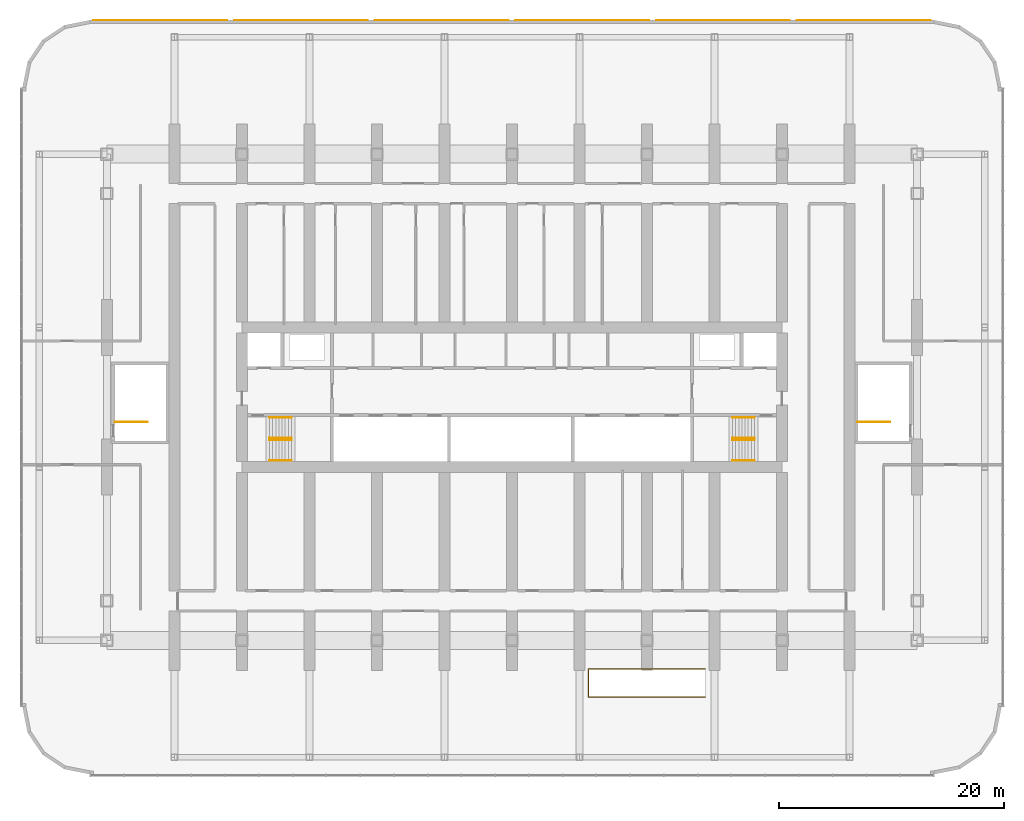
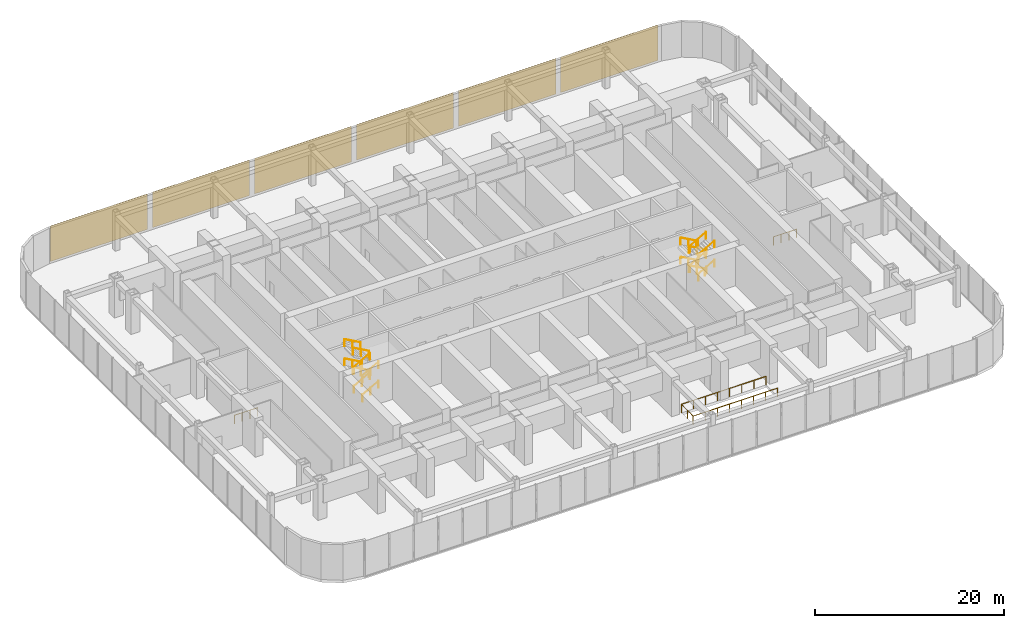
# One storey, part 26 of 26: 19 railings, 6 coverings.
"""IFC4 building model written with IfcOpenShell, lengths in metres."""

from ifc_helpers import new_model, si_unit, direction, frame, origin, origin_2d, place, context, subcontext, project, spatial, rectangle, circle, extrude, material, layer, layer_set, type_object, element, save


model = new_model("IFC4")

# Units and contexts
model_context = context("Model", 3, precision=1e-05, world=origin(), true_north=direction((0.0, 1.0)))
body_context = subcontext(model_context, "Body", "Model", "MODEL_VIEW")
ifc_project = project(units=[si_unit("LENGTHUNIT", "METRE"), si_unit("AREAUNIT", "SQUARE_METRE"), si_unit("VOLUMEUNIT", "CUBIC_METRE"), si_unit("PLANEANGLEUNIT", "RADIAN"), si_unit("MASSUNIT", "GRAM", prefix="KILO")], contexts=[model_context])

# Site, building, storey
site_placement = place(None, origin())
site = spatial("IfcSite", under=ifc_project, at=site_placement, CompositionType="ELEMENT")
building_placement = place(site_placement, origin())
building = spatial("IfcBuilding", under=site, at=building_placement, Name="Orbita Commons", CompositionType="ELEMENT")
storey_placement = place(building_placement, frame((0.0, 0.0, 11.0)))
storey = spatial("IfcBuildingStorey", under=building, at=storey_placement, Name="L02", CompositionType="ELEMENT", Elevation=11.0)

# Coverings
ifc_material_1 = material(Name="Glass mosaic tesserae on precast backing", Category="concrete")
ifc_layer = layer(ifc_material_1, 0.02001953125)
ifc_layer_set = layer_set([ifc_layer], Name="Glass mosaic tesserae on precast backing")
covering_type = type_object("IfcCoveringType", Name="Mosaic cladding panel 20", PredefinedType="CLADDING", material=ifc_layer_set)
for number, where, z_axis, x_axis, name in (
    (1, (73.25, 65.510009765625, 0.0), (0.0, 0.0, 1.0), (1.0, 0.0, 0.0), "Mosaic mural panel L02 1"),
    (2, (60.75, 65.510009765625, 0.0), (0.0, 0.0, 1.0), (1.0, 0.0, 0.0), "Mosaic mural panel L02 2"),
    (3, (48.25, 65.510009765625, 0.0), (0.0, 0.0, 1.0), (1.0, 0.0, 0.0), "Mosaic mural panel L02 3"),
    (4, (35.75, 65.510009765625, 0.0), (0.0, 0.0, 1.0), (1.0, 0.0, 0.0), "Mosaic mural panel L02 4"),
    (5, (23.25, 65.510009765625, 0.0), (0.0, 0.0, 1.0), (1.0, 0.0, 0.0), "Mosaic mural panel L02 5"),
    (6, (10.75, 65.510009765625, 0.0), (0.0, 0.0, 1.0), (1.0, 0.0, 0.0), "Mosaic mural panel L02 6"),
):
    element("IfcCovering", number, at=place(storey_placement, frame(where, z_axis=z_axis, x_axis=x_axis)), inside=storey, type_object=covering_type, Name=name, PredefinedType="CLADDING", context=body_context, shape_type="SweptSolid", body=[
        extrude(rectangle(XDim=11.89990234375, YDim=0.02001953125, at=origin_2d()), origin(), (0.0, 0.0, 1.0), 4.60009765625),
    ])

# Railings
ifc_material_2 = material(Name="Steel tube, painted", Category="steel")
railing_type_1 = type_object("IfcRailingType", Name="Stair handrail steel tube 900", PredefinedType="HANDRAIL", material=ifc_material_2)
for number, where, name in (
    (7, (20.449951171875, 28.18994140625, 0.15625), "Stair S1 handrail L02 flight 1"),
    (8, (20.449951171875, 26.360107421875, 0.15625), "Stair S1 handrail L02 flight 1"),
):
    element("IfcRailing", number, at=place(storey_placement, frame(where)), inside=storey, type_object=railing_type_1, Name=name, PredefinedType="HANDRAIL", context=body_context, shape_type="SweptSolid", body=[
        extrude(circle(Radius=0.02099609375, at=origin_2d()), frame((0.0, 0.0, 0.87890625), z_axis=(0.873232148454, 0.0, 0.487304437602), x_axis=(0.0, 1.0, 0.0)), (0.0, 0.0, 1.0), 2.244384765625),
        extrude(circle(Radius=0.02001953125, at=origin_2d()), origin(), (0.0, 0.0, 1.0), 0.85791015625),
        extrude(circle(Radius=0.02001953125, at=origin_2d()), frame((0.97998046875, 0.0, 0.546875)), (0.0, 0.0, 1.0), 0.85791015625),
        extrude(circle(Radius=0.02001953125, at=origin_2d()), frame((1.9599609375, 0.0, 1.09375)), (0.0, 0.0, 1.0), 0.85791015625),
    ])
for number, where, name in (
    (9, (22.409912109375, 28.360107421875, 1.40625), "Stair S1 handrail L02 flight 2"),
    (10, (22.409912109375, 30.18994140625, 1.40625), "Stair S1 handrail L02 flight 2"),
):
    element("IfcRailing", number, at=place(storey_placement, frame(where)), inside=storey, type_object=railing_type_1, Name=name, PredefinedType="HANDRAIL", context=body_context, shape_type="SweptSolid", body=[
        extrude(circle(Radius=0.02099609375, at=origin_2d()), frame((0.0, 0.0, 0.87890625), z_axis=(-0.873232148454, 0.0, 0.487304437602), x_axis=(0.0, -1.0, 0.0)), (0.0, 0.0, 1.0), 2.244384765625),
        extrude(circle(Radius=0.02001953125, at=origin_2d()), origin(), (0.0, 0.0, 1.0), 0.85791015625),
        extrude(circle(Radius=0.02001953125, at=origin_2d()), frame((-0.97998046875, 0.0, 0.546875)), (0.0, 0.0, 1.0), 0.85791015625),
        extrude(circle(Radius=0.02001953125, at=origin_2d()), frame((-1.9599609375, 0.0, 1.09375)), (0.0, 0.0, 1.0), 0.85791015625),
    ])
for number, where, name in (
    (11, (20.449951171875, 28.18994140625, 2.65625), "Stair S1 handrail L02 flight 3"),
    (12, (20.449951171875, 26.360107421875, 2.65625), "Stair S1 handrail L02 flight 3"),
):
    element("IfcRailing", number, at=place(storey_placement, frame(where)), inside=storey, type_object=railing_type_1, Name=name, PredefinedType="HANDRAIL", context=body_context, shape_type="SweptSolid", body=[
        extrude(circle(Radius=0.02099609375, at=origin_2d()), frame((0.0, 0.0, 0.87890625), z_axis=(0.873232148454, 0.0, 0.487304437602), x_axis=(0.0, 1.0, 0.0)), (0.0, 0.0, 1.0), 2.244384765625),
        extrude(circle(Radius=0.02001953125, at=origin_2d()), origin(), (0.0, 0.0, 1.0), 0.85791015625),
        extrude(circle(Radius=0.02001953125, at=origin_2d()), frame((0.97998046875, 0.0, 0.546875)), (0.0, 0.0, 1.0), 0.85791015625),
        extrude(circle(Radius=0.02001953125, at=origin_2d()), frame((1.9599609375, 0.0, 1.09375)), (0.0, 0.0, 1.0), 0.85791015625),
    ])
for number, where, name in (
    (13, (22.409912109375, 28.360107421875, 3.90625), "Stair S1 handrail L02 flight 4"),
    (14, (22.409912109375, 30.18994140625, 3.90625), "Stair S1 handrail L02 flight 4"),
    (15, (63.550048828125, 28.360107421875, 0.15625), "Stair S2 handrail L02 flight 1"),
    (16, (63.550048828125, 30.18994140625, 0.15625), "Stair S2 handrail L02 flight 1"),
):
    element("IfcRailing", number, at=place(storey_placement, frame(where)), inside=storey, type_object=railing_type_1, Name=name, PredefinedType="HANDRAIL", context=body_context, shape_type="SweptSolid", body=[
        extrude(circle(Radius=0.02099609375, at=origin_2d()), frame((0.0, 0.0, 0.87890625), z_axis=(-0.873232148454, 0.0, 0.487304437602), x_axis=(0.0, -1.0, 0.0)), (0.0, 0.0, 1.0), 2.244384765625),
        extrude(circle(Radius=0.02001953125, at=origin_2d()), origin(), (0.0, 0.0, 1.0), 0.85791015625),
        extrude(circle(Radius=0.02001953125, at=origin_2d()), frame((-0.97998046875, 0.0, 0.546875)), (0.0, 0.0, 1.0), 0.85791015625),
        extrude(circle(Radius=0.02001953125, at=origin_2d()), frame((-1.9599609375, 0.0, 1.09375)), (0.0, 0.0, 1.0), 0.85791015625),
    ])
for number, where, name in (
    (17, (61.590087890625, 28.18994140625, 1.40625), "Stair S2 handrail L02 flight 2"),
    (18, (61.590087890625, 26.360107421875, 1.40625), "Stair S2 handrail L02 flight 2"),
):
    element("IfcRailing", number, at=place(storey_placement, frame(where)), inside=storey, type_object=railing_type_1, Name=name, PredefinedType="HANDRAIL", context=body_context, shape_type="SweptSolid", body=[
        extrude(circle(Radius=0.02099609375, at=origin_2d()), frame((0.0, 0.0, 0.87890625), z_axis=(0.873232148454, 0.0, 0.487304437602), x_axis=(0.0, 1.0, 0.0)), (0.0, 0.0, 1.0), 2.244384765625),
        extrude(circle(Radius=0.02001953125, at=origin_2d()), origin(), (0.0, 0.0, 1.0), 0.85791015625),
        extrude(circle(Radius=0.02001953125, at=origin_2d()), frame((0.97998046875, 0.0, 0.546875)), (0.0, 0.0, 1.0), 0.85791015625),
        extrude(circle(Radius=0.02001953125, at=origin_2d()), frame((1.9599609375, 0.0, 1.09375)), (0.0, 0.0, 1.0), 0.85791015625),
    ])
for number, where, name in (
    (19, (63.550048828125, 28.360107421875, 2.65625), "Stair S2 handrail L02 flight 3"),
    (20, (63.550048828125, 30.18994140625, 2.65625), "Stair S2 handrail L02 flight 3"),
):
    element("IfcRailing", number, at=place(storey_placement, frame(where)), inside=storey, type_object=railing_type_1, Name=name, PredefinedType="HANDRAIL", context=body_context, shape_type="SweptSolid", body=[
        extrude(circle(Radius=0.02099609375, at=origin_2d()), frame((0.0, 0.0, 0.87890625), z_axis=(-0.873232148454, 0.0, 0.487304437602), x_axis=(0.0, -1.0, 0.0)), (0.0, 0.0, 1.0), 2.244384765625),
        extrude(circle(Radius=0.02001953125, at=origin_2d()), origin(), (0.0, 0.0, 1.0), 0.85791015625),
        extrude(circle(Radius=0.02001953125, at=origin_2d()), frame((-0.97998046875, 0.0, 0.546875)), (0.0, 0.0, 1.0), 0.85791015625),
        extrude(circle(Radius=0.02001953125, at=origin_2d()), frame((-1.9599609375, 0.0, 1.09375)), (0.0, 0.0, 1.0), 0.85791015625),
    ])
for number, where, name in (
    (21, (61.590087890625, 28.18994140625, 3.90625), "Stair S2 handrail L02 flight 4"),
    (22, (61.590087890625, 26.360107421875, 3.90625), "Stair S2 handrail L02 flight 4"),
):
    element("IfcRailing", number, at=place(storey_placement, frame(where)), inside=storey, type_object=railing_type_1, Name=name, PredefinedType="HANDRAIL", context=body_context, shape_type="SweptSolid", body=[
        extrude(circle(Radius=0.02099609375, at=origin_2d()), frame((0.0, 0.0, 0.87890625), z_axis=(0.873232148454, 0.0, 0.487304437602), x_axis=(0.0, 1.0, 0.0)), (0.0, 0.0, 1.0), 2.244384765625),
        extrude(circle(Radius=0.02001953125, at=origin_2d()), origin(), (0.0, 0.0, 1.0), 0.85791015625),
        extrude(circle(Radius=0.02001953125, at=origin_2d()), frame((0.97998046875, 0.0, 0.546875)), (0.0, 0.0, 1.0), 0.85791015625),
        extrude(circle(Radius=0.02001953125, at=origin_2d()), frame((1.9599609375, 0.0, 1.09375)), (0.0, 0.0, 1.0), 0.85791015625),
    ])
ifc_material_3 = material(Name="Steel balustrade, painted", Category="steel")
railing_type_2 = type_object("IfcRailingType", Name="Stair landing guard, steel balustrade 1100", PredefinedType="GUARDRAIL", material=ifc_material_3)
for number, where, name in (
    (23, (6.72509765625, 29.7900390625, 0.0), "Stair PS1 top landing guard L02"),
    (24, (72.72509765625, 29.7900390625, 0.0), "Stair PS2 top landing guard L02"),
):
    element("IfcRailing", number, at=place(storey_placement, frame(where)), inside=storey, type_object=railing_type_2, Name=name, PredefinedType="GUARDRAIL", context=body_context, shape_type="SweptSolid", body=[
        extrude(circle(Radius=0.02490234375, at=origin_2d()), frame((0.0, 0.0, 1.0751953125), z_axis=(1.0, 0.0, 0.0), x_axis=(0.0, 1.0, 0.0)), (0.0, 0.0, 1.0), 2.864990234375),
        extrude(circle(Radius=0.02490234375, at=origin_2d()), origin(), (0.0, 0.0, 1.0), 1.050048828125),
        extrude(circle(Radius=0.02490234375, at=origin_2d()), frame((0.955078125, 0.0, 0.0)), (0.0, 0.0, 1.0), 1.050048828125),
        extrude(circle(Radius=0.02490234375, at=origin_2d()), frame((1.909912109375, 0.0, 0.0)), (0.0, 0.0, 1.0), 1.050048828125),
        extrude(circle(Radius=0.02490234375, at=origin_2d()), frame((2.864990234375, 0.0, 0.0)), (0.0, 0.0, 1.0), 1.050048828125),
    ])
ifc_material_4 = material(Name="Laminated glass on steel posts", Category="steel")
railing_type_3 = type_object("IfcRailingType", Name="Void guard, glass on steel posts 1100", PredefinedType="GUARDRAIL", material=ifc_material_4)
railing_placement = place(storey_placement, frame((59.14990234375, 5.35009765625, 0.0)))
element("IfcRailing", 25, at=railing_placement, inside=storey, type_object=railing_type_3, Name="Void guard L02", PredefinedType="GUARDRAIL", context=body_context, shape_type="SweptSolid", body=[
    extrude(circle(Radius=0.02490234375, at=origin_2d()), frame((0.0, 0.0, 1.0751953125), z_axis=(-1.0, 0.0, 0.0), x_axis=(0.0, -1.0, 0.0)), (0.0, 0.0, 1.0), 10.349853515625),
    extrude(circle(Radius=0.02490234375, at=origin_2d()), frame((-10.349853515625, 0.0, 1.0751953125), z_axis=(0.0, 1.0, 0.0), x_axis=(-1.0, 0.0, 0.0)), (0.0, 0.0, 1.0), 2.5),
    extrude(circle(Radius=0.02490234375, at=origin_2d()), frame((-10.349853515625, 2.5, 1.0751953125), z_axis=(1.0, 0.0, 0.0), x_axis=(0.0, 1.0, 0.0)), (0.0, 0.0, 1.0), 10.349853515625),
    extrude(circle(Radius=0.02490234375, at=origin_2d()), origin(), (0.0, 0.0, 1.0), 1.050048828125),
    extrude(circle(Radius=0.02490234375, at=origin_2d()), frame((-1.478515625, 0.0, 0.0)), (0.0, 0.0, 1.0), 1.050048828125),
    extrude(circle(Radius=0.02490234375, at=origin_2d()), frame((-2.95703125, 0.0, 0.0)), (0.0, 0.0, 1.0), 1.050048828125),
    extrude(circle(Radius=0.02490234375, at=origin_2d()), frame((-4.435546875, 0.0, 0.0)), (0.0, 0.0, 1.0), 1.050048828125),
    extrude(circle(Radius=0.02490234375, at=origin_2d()), frame((-5.914306640625, 0.0, 0.0)), (0.0, 0.0, 1.0), 1.050048828125),
    extrude(circle(Radius=0.02490234375, at=origin_2d()), frame((-7.392822265625, 0.0, 0.0)), (0.0, 0.0, 1.0), 1.050048828125),
    extrude(circle(Radius=0.02490234375, at=origin_2d()), frame((-8.871337890625, 0.0, 0.0)), (0.0, 0.0, 1.0), 1.050048828125),
    extrude(circle(Radius=0.02490234375, at=origin_2d()), frame((-10.349853515625, 0.0, 0.0)), (0.0, 0.0, 1.0), 1.050048828125),
    extrude(circle(Radius=0.02490234375, at=origin_2d()), frame((-10.349853515625, 1.25, 0.0)), (0.0, 0.0, 1.0), 1.050048828125),
    extrude(circle(Radius=0.02490234375, at=origin_2d()), frame((-10.349853515625, 2.5, 0.0)), (0.0, 0.0, 1.0), 1.050048828125),
    extrude(circle(Radius=0.02490234375, at=origin_2d()), frame((-8.871337890625, 2.5, 0.0)), (0.0, 0.0, 1.0), 1.050048828125),
    extrude(circle(Radius=0.02490234375, at=origin_2d()), frame((-7.392822265625, 2.5, 0.0)), (0.0, 0.0, 1.0), 1.050048828125),
    extrude(circle(Radius=0.02490234375, at=origin_2d()), frame((-5.914306640625, 2.5, 0.0)), (0.0, 0.0, 1.0), 1.050048828125),
    extrude(circle(Radius=0.02490234375, at=origin_2d()), frame((-4.435546875, 2.5, 0.0)), (0.0, 0.0, 1.0), 1.050048828125),
    extrude(circle(Radius=0.02490234375, at=origin_2d()), frame((-2.95703125, 2.5, 0.0)), (0.0, 0.0, 1.0), 1.050048828125),
    extrude(circle(Radius=0.02490234375, at=origin_2d()), frame((-1.478515625, 2.5, 0.0)), (0.0, 0.0, 1.0), 1.050048828125),
    extrude(circle(Radius=0.02490234375, at=origin_2d()), frame((0.0, 2.5, 0.0)), (0.0, 0.0, 1.0), 1.050048828125),
])

save(model, "model.ifc")
